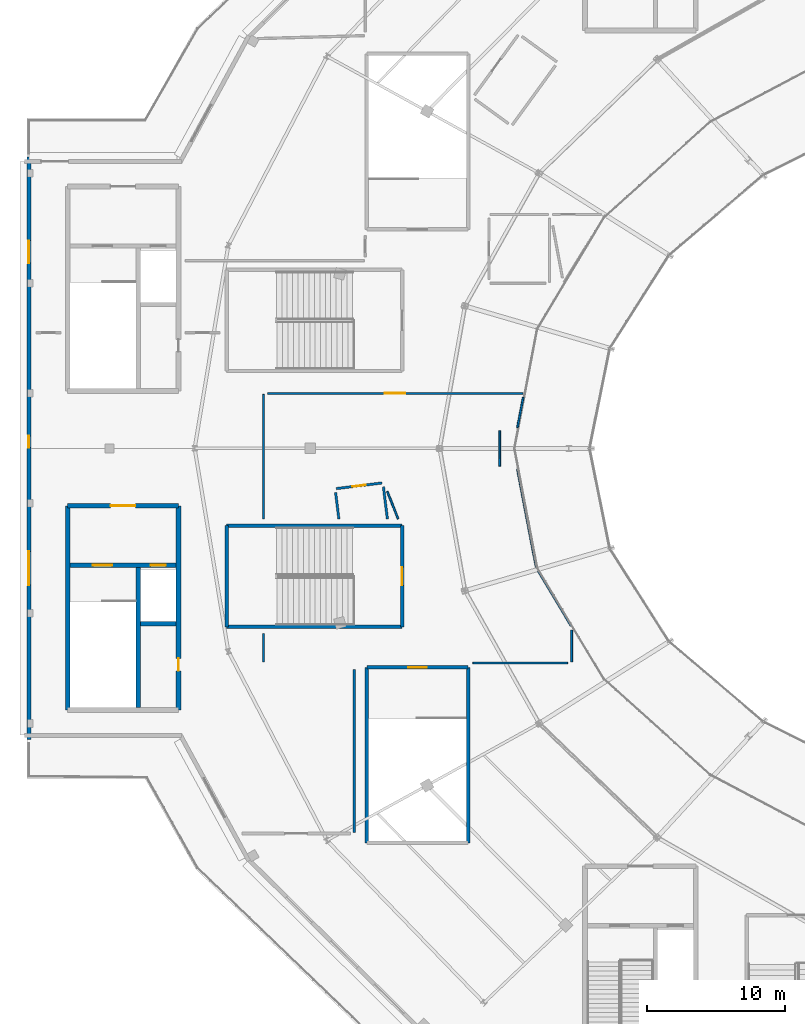
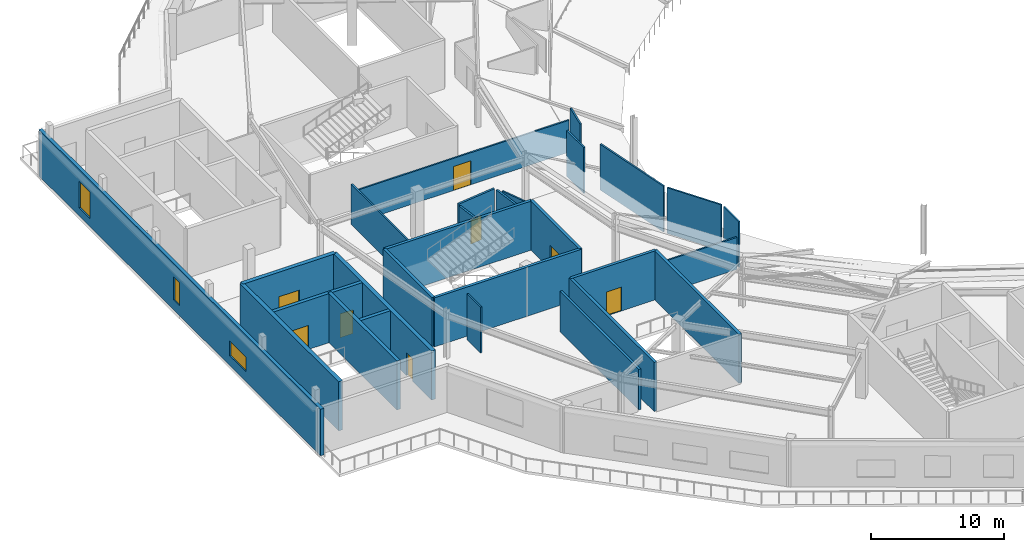
# One storey, part 33 of 63: 28 walls, 8 doors, 3 windows, 11 openings.
"""IFC4 building model written with IfcOpenShell, lengths in metres."""

import ifcopenshell
import ifcopenshell.guid

model = None  # the IFC model being written
_history = None  # IfcOwnerHistory: only IFC2X3 demands one
_inside = {}  # id of a spatial element -> (the spatial element, [elements in it])
_under = {}  # id of a project, library or spatial element -> (it, [spatial elements below it])
_declared = {}  # id of a project -> (the project, [libraries it declares])
_typed = {}  # id of a type object -> (the type object, [elements of that type])
_made_of = {}  # id of a material, layer set ... -> (it, [elements and type objects made of it])


def new_model(schema):
    """Start an empty IFC model of exactly this schema.

    Asked for "IFC4X3", IfcOpenShell would pick the latest addendum, in which some entities
    have other attributes; the version numbers below select the first issue.
    IFC2X3 requires an IfcOwnerHistory on every rooted entity: one is made here for all.
    """
    global model, _history
    if schema == "IFC4X3":
        model = ifcopenshell.file(schema_version=(4, 3, 0, 0))
    else:
        model = ifcopenshell.file(schema=schema)
    _inside.clear()
    _under.clear()
    _declared.clear()
    _typed.clear()
    _made_of.clear()
    _history = None
    if model.schema == "IFC2X3":
        org = make("IfcOrganization", Name="unknown")
        user = make(
            "IfcPersonAndOrganization",
            ThePerson=make("IfcPerson", FamilyName="unknown"),
            TheOrganization=org,
        )
        app = make(
            "IfcApplication",
            ApplicationDeveloper=org,
            Version="unknown",
            ApplicationFullName="unknown",
            ApplicationIdentifier="unknown",
        )
        _history = make(
            "IfcOwnerHistory",
            OwningUser=user,
            OwningApplication=app,
            ChangeAction="ADDED",
            CreationDate=0,
        )
    return model


def make(cls, **values):
    """One entity of the class cls with the attributes given. An attribute that is None is left unset."""
    return model.create_entity(
        cls, **{name: value for name, value in values.items() if value is not None}
    )


def rooted(cls, **values):
    """An entity with a GlobalId (a new one), such as an element, a storey or a relation."""
    return make(cls, GlobalId=ifcopenshell.guid.new(), OwnerHistory=_history, **values)


def si_unit(unit_type, name, prefix=None):
    """IfcSIUnit, for example si_unit("LENGTHUNIT", "METRE", prefix="MILLI")."""
    return make("IfcSIUnit", UnitType=unit_type, Prefix=prefix, Name=name)


def assignment(units):
    """IfcUnitAssignment: the units of a project."""
    return None if units is None else make("IfcUnitAssignment", Units=units)


def point(xyz):
    """IfcCartesianPoint."""
    return None if xyz is None else make("IfcCartesianPoint", Coordinates=xyz)


def direction(xyz):
    """IfcDirection."""
    return None if xyz is None else make("IfcDirection", DirectionRatios=xyz)


def frame(location, z_axis=None, x_axis=None):
    """IfcAxis2Placement3D, a coordinate frame: its origin and axes. An axis left out is left unset."""
    return make(
        "IfcAxis2Placement3D",
        Location=point(location),
        Axis=direction(z_axis),
        RefDirection=direction(x_axis),
    )


def frame_2d(location, x_axis=None):
    """IfcAxis2Placement2D, a coordinate frame in the plane: its origin and x axis."""
    return make(
        "IfcAxis2Placement2D", Location=point(location), RefDirection=direction(x_axis)
    )


def origin():
    """The frame at (0, 0, 0) with its axes left unset."""
    return frame((0.0, 0.0, 0.0))


def place(relative_to, where):
    """IfcLocalPlacement: puts the frame where relative to a parent placement (None: the world)."""
    return make(
        "IfcLocalPlacement", PlacementRelTo=relative_to, RelativePlacement=where
    )


def context(
    kind, dimensions, precision=None, world=None, true_north=None, identifier=None
):
    """IfcGeometricRepresentationContext, for example the 3D "Model" context."""
    return make(
        "IfcGeometricRepresentationContext",
        ContextIdentifier=identifier,
        ContextType=kind,
        CoordinateSpaceDimension=dimensions,
        Precision=precision,
        WorldCoordinateSystem=world,
        TrueNorth=true_north,
    )


def subcontext(parent, identifier, kind, view, scale=None):
    """IfcGeometricRepresentationSubContext, for example "Body" below "Model"."""
    return make(
        "IfcGeometricRepresentationSubContext",
        ContextIdentifier=identifier,
        ContextType=kind,
        ParentContext=parent,
        TargetScale=scale,
        TargetView=view,
    )


def project(units=None, contexts=None):
    """IfcProject with its units and contexts."""
    return rooted(
        "IfcProject",
        Name="project",
        RepresentationContexts=contexts,
        UnitsInContext=assignment(units),
    )


def spatial(cls, under=None, at=None, **own):
    """A site, building, storey or space (cls), placed at a placement, below another one or the project."""
    s = rooted(cls, ObjectPlacement=at, **own)
    if under is not None:
        _under.setdefault(under.id(), (under, []))[1].append(s)
    return s


def profile(cls, at=None, kind="AREA", **sizes):
    """A parametric profile (cls). Its sizes go by their IFC names, for example OverallWidth=200.0."""
    return make(cls, ProfileType=kind, Position=at, **sizes)


def rectangle(**sizes):
    """IfcRectangleProfileDef."""
    return profile("IfcRectangleProfileDef", **sizes)


def extrude(swept, where, along, depth):
    """IfcExtrudedAreaSolid: the profile swept, set in the frame where, extruded along a direction by depth."""
    return make(
        "IfcExtrudedAreaSolid",
        SweptArea=swept,
        Position=where,
        ExtrudedDirection=direction(along),
        Depth=depth,
    )


def shape(context_of_items, identifier, shape_type, items):
    """IfcShapeRepresentation: the items that make up one representation, for example the "Body"."""
    return make(
        "IfcShapeRepresentation",
        ContextOfItems=context_of_items,
        RepresentationIdentifier=identifier,
        RepresentationType=shape_type,
        Items=items,
    )


def material(Name=None, Category=None):
    """IfcMaterial."""
    return make("IfcMaterial", Name=Name, Category=Category)


def layer(
    of_material, thickness, ventilated=None, Name=None, Category=None, Priority=None
):
    """IfcMaterialLayer: one layer of a wall or slab, of a material (None: an air gap)."""
    return make(
        "IfcMaterialLayer",
        Material=of_material,
        LayerThickness=thickness,
        IsVentilated=ventilated,
        Name=Name,
        Category=Category,
        Priority=Priority,
    )


def layer_set(layers, Name=None):
    """IfcMaterialLayerSet."""
    return make("IfcMaterialLayerSet", MaterialLayers=layers, LayerSetName=Name)


def made_of(thing, what):
    """Note that an element or type object is made of a material, layer set ...; save() writes the relation."""
    if what is not None:
        _made_of.setdefault(what.id(), (what, []))[1].append(thing)
    return thing


def type_object(cls, material=None, **own):
    """A type object (cls), such as IfcWallType, which elements share."""
    return made_of(rooted(cls, **own), material)


def element(
    cls,
    number,
    at=None,
    inside=None,
    cuts=None,
    type_object=None,
    material=None,
    context=None,
    identifier="Body",
    shape_type=None,
    held_by="IfcProductDefinitionShape",
    body=None,
    shapes=None,
    **own,
):
    """One element of the class cls, such as IfcWall. Its Tag is "e" and its number.

    at: its placement. inside: the storey or other place that contains it. cuts: it is an
    opening in that element (IfcRelVoidsElement). A single representation is given by context,
    identifier, shape_type and body (its items); several are given by shapes. held_by: the class
    of the entity that holds the representations. save() writes the other relations.
    """
    e = rooted(cls, Tag="e%d" % number, ObjectPlacement=at, **own)
    if body is not None:
        shapes = [shape(context, identifier, shape_type, body)]
    if shapes is not None:
        e.Representation = make(held_by, Representations=shapes)
    if inside is not None:
        _inside.setdefault(inside.id(), (inside, []))[1].append(e)
    if cuts is not None:
        rooted(
            "IfcRelVoidsElement", RelatingBuildingElement=cuts, RelatedOpeningElement=e
        )
    if type_object is not None:
        _typed.setdefault(type_object.id(), (type_object, []))[1].append(e)
    return made_of(e, material)


def fill(opening, filler):
    """IfcRelFillsElement: the door or window that sits in an opening."""
    return rooted(
        "IfcRelFillsElement",
        RelatingOpeningElement=opening,
        RelatedBuildingElement=filler,
    )


def aggregate(whole, parts):
    """IfcRelAggregates: a whole, such as a stair, and the parts it consists of."""
    return rooted("IfcRelAggregates", RelatingObject=whole, RelatedObjects=parts)


def save(model, path):
    """Write the relations noted so far, then the file.

    IfcRelAggregates (storeys below a building ...), IfcRelContainedInSpatialStructure (elements
    in a storey), IfcRelDefinesByType, IfcRelAssociatesMaterial and IfcRelDeclares: one each for
    every whole, place, type object, material and project.
    """
    for whole, parts in _under.values():
        aggregate(whole, parts)
    for where, things in _inside.values():
        rooted(
            "IfcRelContainedInSpatialStructure",
            RelatedElements=things,
            RelatingStructure=where,
        )
    for kind, things in _typed.values():
        rooted("IfcRelDefinesByType", RelatedObjects=things, RelatingType=kind)
    for what, things in _made_of.values():
        rooted("IfcRelAssociatesMaterial", RelatedObjects=things, RelatingMaterial=what)
    for by, libraries in _declared.values():
        rooted("IfcRelDeclares", RelatingContext=by, RelatedDefinitions=libraries)
    model.write(path)


model = new_model("IFC4")

# Units and contexts
model_context = context("Model", 3, precision=1e-05, world=origin(), true_north=direction((0.0, 1.0)))
body_context = subcontext(model_context, "Body", "Model", "MODEL_VIEW")
ifc_project = project(units=[si_unit("LENGTHUNIT", "METRE"), si_unit("AREAUNIT", "SQUARE_METRE"), si_unit("VOLUMEUNIT", "CUBIC_METRE"), si_unit("PLANEANGLEUNIT", "RADIAN"), si_unit("MASSUNIT", "GRAM", prefix="KILO")], contexts=[model_context])

# Site, building, storey
site_placement = place(None, origin())
site = spatial("IfcSite", under=ifc_project, at=site_placement, CompositionType="ELEMENT")
building_placement = place(site_placement, origin())
building = spatial("IfcBuilding", under=site, at=building_placement, Name="Kalgoora Escarpment Arena", CompositionType="ELEMENT")
storey_placement = place(building_placement, frame((0.0, 0.0, 14.39990234375)))
storey = spatial("IfcBuildingStorey", under=building, at=storey_placement, Name="L03", CompositionType="ELEMENT", Elevation=14.39990234375)

# Wall, opening, door
ifc_material_1 = material(Name="Concrete N50 (fc' 50 MPa)", Category="concrete")
ifc_layer_1 = layer(ifc_material_1, 0.35009765625)
ifc_layer_set_1 = layer_set([ifc_layer_1], Name="WAL-CORE-350")
wall_type_1 = type_object("IfcWallType", Name="WAL-CORE-350", PredefinedType="SHEAR", material=ifc_layer_set_1)
wall_1_placement = place(storey_placement, frame((11.375, 59.824951171875, 0.0), z_axis=(0.0, 0.0, 1.0), x_axis=(1.0, 0.0, 0.0)))
wall_1 = element("IfcWall", 1, at=wall_1_placement, inside=storey, type_object=wall_type_1, Name="Core C2 L03 north lobby wall", PredefinedType="SHEAR", context=body_context, shape_type="SweptSolid", body=[
    extrude(rectangle(XDim=8.050048828125, YDim=0.35009765625, at=frame_2d((4.02490234375, 0.0))), origin(), (0.0, 0.0, 1.0), 4.5),
])
opening_1_placement = place(wall_1_placement, frame((3.125, 0.0, 0.0)))
opening_1 = element("IfcOpeningElement", 2, at=opening_1_placement, cuts=wall_1, Name="Opening FD-C2L", PredefinedType="OPENING", context=body_context, shape_type="SweptSolid", body=[
    extrude(rectangle(XDim=1.800048828125, YDim=2.25, at=frame_2d((0.89990234375, 1.125))), frame((0.0, 0.18505859375, 0.0), z_axis=(0.0, -1.0, 0.0), x_axis=(1.0, 0.0, 0.0)), (0.0, 0.0, 1.0), 0.3701171875),
])
ifc_material_2 = material(Name="Double fire-rated smoke-seal lobby door")
door_type_1 = type_object("IfcDoorType", Name="DR-LOBBY-1800", OperationType="NOTDEFINED", PredefinedType="DOOR", material=ifc_material_2)
door_1_placement = place(opening_1_placement, origin())
door_1 = element("IfcDoor", 3, at=door_1_placement, inside=storey, type_object=door_type_1, Name="Core C2 L03 smoke-lobby fire door", OperationType="DOUBLE_DOOR_SINGLE_SWING", OverallHeight=2.25, OverallWidth=1.800048828125, PredefinedType="DOOR", context=body_context, shape_type="SweptSolid", body=[
    extrude(rectangle(XDim=1.800048828125, YDim=2.25, at=frame_2d((0.89990234375, 1.125))), frame((0.0, 0.02490234375, 0.0), z_axis=(0.0, -1.0, 0.0), x_axis=(1.0, 0.0, 0.0)), (0.0, 0.0, 1.0), 0.050048828125),
])
fill(opening_1, door_1)

# Wall
wall_2_placement = place(storey_placement, frame((11.375, 44.97509765625, 0.0), z_axis=(0.0, 0.0, 1.0), x_axis=(0.0, 1.0, 0.0)))
element("IfcWall", 4, at=wall_2_placement, inside=storey, type_object=wall_type_1, Name="Core C2 L03 west shear wall", PredefinedType="SHEAR", context=body_context, shape_type="SweptSolid", body=[
    extrude(rectangle(XDim=14.849853515625, YDim=0.35009765625, at=frame_2d((7.4248046875, 0.0))), origin(), (0.0, 0.0, 1.0), 4.5),
])

# Wall, opening, door
wall_3_placement = place(storey_placement, frame((19.425048828125, 44.97509765625, 0.0), z_axis=(0.0, 0.0, 1.0), x_axis=(0.0, 1.0, 0.0)))
wall_3 = element("IfcWall", 5, at=wall_3_placement, inside=storey, type_object=wall_type_1, Name="Core C2 L03 east shear wall", PredefinedType="SHEAR", context=body_context, shape_type="SweptSolid", body=[
    extrude(rectangle(XDim=14.849853515625, YDim=0.35009765625, at=frame_2d((7.4248046875, 0.0))), origin(), (0.0, 0.0, 1.0), 4.5),
])
opening_2_placement = place(wall_3_placement, frame((2.85498046875, 0.0, 0.0)))
opening_2 = element("IfcOpeningElement", 6, at=opening_2_placement, cuts=wall_3, Name="Opening FD-C2R", PredefinedType="OPENING", context=body_context, shape_type="SweptSolid", body=[
    extrude(rectangle(XDim=0.89990234375, YDim=2.10009765625, at=frame_2d((0.449951171875, 1.050048828125))), frame((0.0, 0.18505859375, 0.0), z_axis=(0.0, -1.0, 0.0), x_axis=(1.0, 0.0, 0.0)), (0.0, 0.0, 1.0), 0.3701171875),
])
ifc_material_3 = material(Name="Fire-rated steel riser access door", Category="steel")
door_type_2 = type_object("IfcDoorType", Name="DR-RISER-0900", OperationType="NOTDEFINED", PredefinedType="DOOR", material=ifc_material_3)
door_2_placement = place(opening_2_placement, origin())
door_2 = element("IfcDoor", 7, at=door_2_placement, inside=storey, type_object=door_type_2, Name="Core C2 L03 riser cupboard access door", OperationType="SINGLE_SWING_RIGHT", OverallHeight=2.10009765625, OverallWidth=0.89990234375, PredefinedType="DOOR", context=body_context, shape_type="SweptSolid", body=[
    extrude(rectangle(XDim=0.89990234375, YDim=2.10009765625, at=frame_2d((0.449951171875, 1.050048828125))), frame((0.0, 0.02490234375, 0.0), z_axis=(0.0, -1.0, 0.0), x_axis=(1.0, 0.0, 0.0)), (0.0, 0.0, 1.0), 0.050048828125),
])
fill(opening_2, door_2)

# Walls
ifc_material_4 = material(Name="Hospitality acoustic drywall partition", Category="gypsum")
ifc_layer_2 = layer(ifc_material_4, 0.135009765625)
ifc_layer_set_2 = layer_set([ifc_layer_2], Name="WAL-DIN-135")
wall_type_2 = type_object("IfcWallType", Name="WAL-DIN-135", PredefinedType="PARTITIONING", material=ifc_layer_set_2)
wall_4_placement = place(storey_placement, frame((25.60009765625, 48.47998046875, 0.0), z_axis=(0.0, 0.0, 1.0), x_axis=(0.0, 1.0, 0.0)))
element("IfcWall", 8, at=wall_4_placement, inside=storey, type_object=wall_type_2, Name="L03 South Concourse Food Court partition wall", PredefinedType="PARTITIONING", context=body_context, shape_type="SweptSolid", body=[
    extrude(rectangle(XDim=2.044921875, YDim=0.135009765625, at=frame_2d((1.0224609375, 0.0))), origin(), (0.0, 0.0, 1.0), 4.2001953125),
])
wall_5_placement = place(storey_placement, frame((35.389404296875, 58.869384765625, 0.0), z_axis=(0.0, 0.0, 1.0), x_axis=(-0.365367553019, 0.930863336479, 0.0)))
element("IfcWall", 9, at=wall_5_placement, inside=storey, type_object=wall_type_2, Name="L03 South Concourse Food Court partition wall", PredefinedType="PARTITIONING", context=body_context, shape_type="SweptSolid", body=[
    extrude(rectangle(XDim=2.148193359375, YDim=0.135009765625, at=frame_2d((1.07421875, 0.0))), origin(), (0.0, 0.0, 1.0), 4.2001953125),
])
wall_6_placement = place(storey_placement, frame((25.60009765625, 58.875, 0.0), z_axis=(0.0, 0.0, 1.0), x_axis=(0.0, 1.0, 0.0)))
element("IfcWall", 10, at=wall_6_placement, inside=storey, type_object=wall_type_2, Name="L03 South Concourse Food Court partition wall", PredefinedType="PARTITIONING", context=body_context, shape_type="SweptSolid", body=[
    extrude(rectangle(XDim=9.044921875, YDim=0.135009765625, at=frame_2d((4.5224609375, 0.0))), origin(), (0.0, 0.0, 1.0), 3.705078125),
])

# Wall, opening, door
wall_7_placement = place(storey_placement, frame((25.884765625, 68.0, 0.0), z_axis=(0.0, 0.0, 1.0), x_axis=(1.0, 0.0, 0.0)))
wall_7 = element("IfcWall", 11, at=wall_7_placement, inside=storey, type_object=wall_type_2, Name="L03 South Concourse Food Court partition wall", PredefinedType="PARTITIONING", context=body_context, shape_type="SweptSolid", body=[
    extrude(rectangle(XDim=18.57421875, YDim=0.135009765625, at=frame_2d((9.287109375, 0.0))), origin(), (0.0, 0.0, 1.0), 2.943115234375),
])
opening_3_placement = place(wall_7_placement, frame((8.537109375, 0.0, 0.0)))
opening_3 = element("IfcOpeningElement", 12, at=opening_3_placement, cuts=wall_7, Name="Opening FD-I123", PredefinedType="OPENING", context=body_context, shape_type="SweptSolid", body=[
    extrude(rectangle(XDim=1.5, YDim=2.199951171875, at=frame_2d((0.75, 1.10009765625))), frame((0.0, 0.077392578125, 0.0), z_axis=(0.0, -1.0, 0.0), x_axis=(1.0, 0.0, 0.0)), (0.0, 0.0, 1.0), 0.155029296875),
])
ifc_material_5 = material(Name="Stainless-clad fire-rated kitchen double door")
door_type_3 = type_object("IfcDoorType", Name="DR-KIT-1500", OperationType="NOTDEFINED", PredefinedType="DOOR", material=ifc_material_5)
door_3_placement = place(opening_3_placement, origin())
door_3 = element("IfcDoor", 13, at=door_3_placement, inside=storey, type_object=door_type_3, Name="South Concourse Food Court entrance door", OperationType="DOUBLE_DOOR_SINGLE_SWING", OverallHeight=2.199951171875, OverallWidth=1.5, PredefinedType="DOOR", context=body_context, shape_type="SweptSolid", body=[
    extrude(rectangle(XDim=1.5, YDim=2.199951171875, at=frame_2d((0.75, 1.10009765625))), frame((0.0, 0.02490234375, 0.0), z_axis=(0.0, -1.0, 0.0), x_axis=(1.0, 0.0, 0.0)), (0.0, 0.0, 1.0), 0.050048828125),
])
fill(opening_3, door_3)

# Walls
wall_8_placement = place(storey_placement, frame((44.48291015625, 67.705078125, 0.0), z_axis=(0.0, 0.0, 1.0), x_axis=(-0.187458263923, -0.982272568734, 0.0)))
element("IfcWall", 14, at=wall_8_placement, inside=storey, type_object=wall_type_2, Name="L03 South Concourse Food Court partition wall", PredefinedType="PARTITIONING", context=body_context, shape_type="SweptSolid", body=[
    extrude(rectangle(XDim=2.236083984375, YDim=0.135009765625, at=frame_2d((1.1181640625, 0.0))), origin(), (0.0, 0.0, 1.0), 4.2001953125),
])
wall_9_placement = place(storey_placement, frame((42.773193359375, 65.293212890625, 0.0), z_axis=(0.0, 0.0, 1.0), x_axis=(-0.000662690378, -0.999999780421, 0.0)))
element("IfcWall", 15, at=wall_9_placement, inside=storey, type_object=wall_type_2, Name="L03 South Concourse Food Court partition wall", PredefinedType="PARTITIONING", context=body_context, shape_type="SweptSolid", body=[
    extrude(rectangle(XDim=2.578857421875, YDim=0.135009765625, at=frame_2d((1.28955078125, 0.0))), origin(), (0.0, 0.0, 1.0), 4.2001953125),
])
wall_10_placement = place(storey_placement, frame((44.063720703125, 62.491455078125, 0.0), z_axis=(0.0, 0.0, 1.0), x_axis=(0.187882600122, -0.982191492822, 0.0)))
element("IfcWall", 16, at=wall_10_placement, inside=storey, type_object=wall_type_2, Name="L03 South Concourse Food Court partition wall", PredefinedType="PARTITIONING", context=body_context, shape_type="SweptSolid", body=[
    extrude(rectangle(XDim=7.26513671875, YDim=0.135009765625, at=frame_2d((3.632568359375, 0.0))), origin(), (0.0, 0.0, 1.0), 4.2001953125),
])
wall_11_placement = place(storey_placement, frame((45.558349609375, 55.085693359375, 0.0), z_axis=(0.0, 0.0, 1.0), x_axis=(0.514065152824, -0.85775114028, 0.0)))
element("IfcWall", 17, at=wall_11_placement, inside=storey, type_object=wall_type_2, Name="L03 South Concourse Food Court partition wall", PredefinedType="PARTITIONING", context=body_context, shape_type="SweptSolid", body=[
    extrude(rectangle(XDim=4.669921875, YDim=0.135009765625, at=frame_2d((2.3349609375, 0.0))), origin(), (0.0, 0.0, 1.0), 4.2001953125),
])
wall_12_placement = place(storey_placement, frame((48.0, 50.7841796875, 0.0), z_axis=(0.0, 0.0, 1.0), x_axis=(0.0, -1.0, 0.0)))
element("IfcWall", 18, at=wall_12_placement, inside=storey, type_object=wall_type_2, Name="L03 South Concourse Food Court partition wall", PredefinedType="PARTITIONING", context=body_context, shape_type="SweptSolid", body=[
    extrude(rectangle(XDim=2.30419921875, YDim=0.135009765625, at=frame_2d((1.152099609375, 0.0))), origin(), (0.0, 0.0, 1.0), 4.2001953125),
])
wall_13_placement = place(storey_placement, frame((47.715087890625, 48.39990234375, 0.0), z_axis=(0.0, 0.0, 1.0), x_axis=(-1.0, 0.0, 0.0)))
element("IfcWall", 19, at=wall_13_placement, inside=storey, type_object=wall_type_2, Name="L03 South Concourse Food Court partition wall", PredefinedType="PARTITIONING", context=body_context, shape_type="SweptSolid", body=[
    extrude(rectangle(XDim=6.89404296875, YDim=0.135009765625, at=frame_2d((3.447021484375, 0.0))), origin(), (0.0, 0.0, 1.0), 2.943115234375),
])

# Wall, openings, windows
ifc_material_6 = material(Name="Upper concourse insulated spandrel wall 40 MPa", Category="concrete")
ifc_layer_3 = layer(ifc_material_6, 0.2900390625)
ifc_layer_set_3 = layer_set([ifc_layer_3], Name="WAL-EXT-290")
wall_type_3 = type_object("IfcWallType", Name="WAL-EXT-290", PredefinedType="SOLIDWALL", material=ifc_layer_set_3)
wall_14_placement = place(storey_placement, frame((8.544921875, 42.831787109375, 0.0), z_axis=(0.0, 0.0, 1.0), x_axis=(0.0, 1.0, 0.0)))
wall_14 = element("IfcWall", 20, at=wall_14_placement, inside=storey, type_object=wall_type_3, Name="L03 limestone-faced external wall 078", PredefinedType="SOLIDWALL", context=body_context, shape_type="SweptSolid", body=[
    extrude(rectangle(XDim=42.33642578125, YDim=0.2900390625, at=frame_2d((21.168212890625, 0.0))), origin(), (0.0, 0.0, 1.0), 4.260009765625),
])
opening_4_placement = place(wall_14_placement, frame((11.22509765625, 0.0, 0.89990234375)))
opening_4 = element("IfcOpeningElement", 21, at=opening_4_placement, cuts=wall_14, Name="Opening W-15", PredefinedType="OPENING", context=body_context, shape_type="SweptSolid", body=[
    extrude(rectangle(XDim=2.449951171875, YDim=1.35009765625, at=frame_2d((1.22509765625, 0.675048828125))), frame((0.0, 0.155029296875, 0.0), z_axis=(0.0, -1.0, 0.0), x_axis=(1.0, 0.0, 0.0)), (0.0, 0.0, 1.0), 0.31005859375),
])
opening_5_placement = place(wall_14_placement, frame((21.22509765625, 0.0, 0.89990234375)))
opening_5 = element("IfcOpeningElement", 22, at=opening_5_placement, cuts=wall_14, Name="Opening W-18", PredefinedType="OPENING", context=body_context, shape_type="SweptSolid", body=[
    extrude(rectangle(XDim=0.85009765625, YDim=2.10009765625, at=frame_2d((0.425048828125, 1.050048828125))), frame((0.0, 0.155029296875, 0.0), z_axis=(0.0, -1.0, 0.0), x_axis=(1.0, 0.0, 0.0)), (0.0, 0.0, 1.0), 0.31005859375),
])
opening_6_placement = place(wall_14_placement, frame((34.625, 0.0, 0.75)))
opening_6 = element("IfcOpeningElement", 23, at=opening_6_placement, cuts=wall_14, Name="Opening W-02", PredefinedType="OPENING", context=body_context, shape_type="SweptSolid", body=[
    extrude(rectangle(XDim=1.64990234375, YDim=2.39990234375, at=frame_2d((0.824951171875, 1.199951171875))), frame((0.0, 0.155029296875, 0.0), z_axis=(0.0, -1.0, 0.0), x_axis=(1.0, 0.0, 0.0)), (0.0, 0.0, 1.0), 0.31005859375),
])
ifc_material_7 = material(Name="Low-E solar-control double glazing in champagne frame", Category="glass")
window_type_1 = type_object("IfcWindowType", Name="WIN-CLER-2450x1350", PartitioningType="SINGLE_PANEL", PredefinedType="WINDOW", material=ifc_material_7)
window_1_placement = place(opening_4_placement, origin())
window_1 = element("IfcWindow", 24, at=window_1_placement, inside=storey, type_object=window_type_1, Name="L03 scheduled facade window 133", OverallHeight=1.35009765625, OverallWidth=2.449951171875, PartitioningType="SINGLE_PANEL", PredefinedType="WINDOW", context=body_context, shape_type="SweptSolid", body=[
    extrude(rectangle(XDim=2.449951171875, YDim=1.35009765625, at=frame_2d((1.22509765625, 0.675048828125))), frame((0.0, 0.030029296875, 0.0), z_axis=(0.0, -1.0, 0.0), x_axis=(1.0, 0.0, 0.0)), (0.0, 0.0, 1.0), 0.06005859375),
])
fill(opening_4, window_1)
ifc_material_8 = material(Name="Low-E solar-control double glazing in champagne frame", Category="glass")
window_type_2 = type_object("IfcWindowType", Name="WIN-DECO-1650x2400", PartitioningType="SINGLE_PANEL", PredefinedType="WINDOW", material=ifc_material_8)
window_2_placement = place(opening_6_placement, origin())
window_2 = element("IfcWindow", 25, at=window_2_placement, inside=storey, type_object=window_type_2, Name="L03 scheduled facade window 135", OverallHeight=2.39990234375, OverallWidth=1.64990234375, PartitioningType="SINGLE_PANEL", PredefinedType="WINDOW", context=body_context, shape_type="SweptSolid", body=[
    extrude(rectangle(XDim=1.64990234375, YDim=2.39990234375, at=frame_2d((0.824951171875, 1.199951171875))), frame((0.0, 0.030029296875, 0.0), z_axis=(0.0, -1.0, 0.0), x_axis=(1.0, 0.0, 0.0)), (0.0, 0.0, 1.0), 0.06005859375),
])
fill(opening_6, window_2)
ifc_material_9 = material(Name="Low-E solar-control double glazing in champagne frame", Category="glass")
window_type_3 = type_object("IfcWindowType", Name="WIN-SLOT-0850x2100", PartitioningType="SINGLE_PANEL", PredefinedType="WINDOW", material=ifc_material_9)
window_3_placement = place(opening_5_placement, origin())
window_3 = element("IfcWindow", 26, at=window_3_placement, inside=storey, type_object=window_type_3, Name="L03 scheduled facade window 134", OverallHeight=2.10009765625, OverallWidth=0.85009765625, PartitioningType="SINGLE_PANEL", PredefinedType="WINDOW", context=body_context, shape_type="SweptSolid", body=[
    extrude(rectangle(XDim=0.85009765625, YDim=2.10009765625, at=frame_2d((0.425048828125, 1.050048828125))), frame((0.0, 0.030029296875, 0.0), z_axis=(0.0, -1.0, 0.0), x_axis=(1.0, 0.0, 0.0)), (0.0, 0.0, 1.0), 0.06005859375),
])
fill(opening_5, window_3)

# Wall
ifc_material_10 = material(Name="Acoustic masonry plant wall Concrete N40 (fc' 40 MPa)", Category="masonry")
ifc_layer_4 = layer(ifc_material_10, 0.205078125)
ifc_layer_set_4 = layer_set([ifc_layer_4], Name="WAL-PLANT-205")
wall_type_4 = type_object("IfcWallType", Name="WAL-PLANT-205", PredefinedType="SOLIDWALL", material=ifc_layer_set_4)
wall_15_placement = place(storey_placement, frame((32.199951171875, 47.919921875, 0.0), z_axis=(0.0, 0.0, 1.0), x_axis=(0.0, -1.0, 0.0)))
element("IfcWall", 27, at=wall_15_placement, inside=storey, type_object=wall_type_4, Name="L03 West Concourse AHU Plant Room partition wall", PredefinedType="SOLIDWALL", context=body_context, shape_type="SweptSolid", body=[
    extrude(rectangle(XDim=11.83984375, YDim=0.205078125, at=frame_2d((5.919921875, 0.0))), origin(), (0.0, 0.0, 1.0), 3.715087890625),
])

# Wall, openings, doors
ifc_material_11 = material(Name="Concrete N50 (fc' 50 MPa)", Category="concrete")
ifc_layer_5 = layer(ifc_material_11, 0.300048828125)
ifc_layer_set_5 = layer_set([ifc_layer_5], Name="WAL-SHAFT-300")
wall_type_5 = type_object("IfcWallType", Name="WAL-SHAFT-300", PredefinedType="SHEAR", material=ifc_layer_set_5)
wall_16_placement = place(storey_placement, frame((11.550048828125, 55.5, 0.0), z_axis=(0.0, 0.0, 1.0), x_axis=(1.0, 0.0, 0.0)))
wall_16 = element("IfcWall", 28, at=wall_16_placement, inside=storey, type_object=wall_type_5, Name="Core C2 L03 lobby shaft wall", PredefinedType="SHEAR", context=body_context, shape_type="SweptSolid", body=[
    extrude(rectangle(XDim=7.699951171875, YDim=0.300048828125, at=frame_2d((3.85009765625, 0.0))), origin(), (0.0, 0.0, 1.0), 4.5),
])
opening_7_placement = place(wall_16_placement, frame((1.64990234375, 0.0, 0.0)))
opening_7 = element("IfcOpeningElement", 29, at=opening_7_placement, cuts=wall_16, Name="Opening FD-ST02", PredefinedType="OPENING", context=body_context, shape_type="SweptSolid", body=[
    extrude(rectangle(XDim=1.39990234375, YDim=2.199951171875, at=frame_2d((0.699951171875, 1.10009765625))), frame((0.0, 0.159912109375, 0.0), z_axis=(0.0, -1.0, 0.0), x_axis=(1.0, 0.0, 0.0)), (0.0, 0.0, 1.0), 0.320068359375),
])
opening_8_placement = place(wall_16_placement, frame((5.85009765625, 0.0, 0.0)))
opening_8 = element("IfcOpeningElement", 30, at=opening_8_placement, cuts=wall_16, Name="Opening LD-EL2", PredefinedType="OPENING", context=body_context, shape_type="SweptSolid", body=[
    extrude(rectangle(XDim=1.10009765625, YDim=2.199951171875, at=frame_2d((0.550048828125, 1.10009765625))), frame((0.0, 0.159912109375, 0.0), z_axis=(0.0, -1.0, 0.0), x_axis=(1.0, 0.0, 0.0)), (0.0, 0.0, 1.0), 0.320068359375),
])
ifc_material_12 = material(Name="Brushed stainless steel sliding lift landing door", Category="steel")
door_type_4 = type_object("IfcDoorType", Name="DR-LD-EL2", OperationType="SLIDING_TO_LEFT", PredefinedType="DOOR", material=ifc_material_12)
door_4_placement = place(opening_8_placement, origin())
door_4 = element("IfcDoor", 31, at=door_4_placement, inside=storey, type_object=door_type_4, Name="Lift EL2 L03 sliding landing door", OperationType="SLIDING_TO_LEFT", OverallHeight=2.199951171875, OverallWidth=1.10009765625, PredefinedType="DOOR", context=body_context, shape_type="SweptSolid", body=[
    extrude(rectangle(XDim=1.10009765625, YDim=2.199951171875, at=frame_2d((0.550048828125, 1.10009765625))), frame((0.0, 0.02490234375, 0.0), z_axis=(0.0, -1.0, 0.0), x_axis=(1.0, 0.0, 0.0)), (0.0, 0.0, 1.0), 0.050048828125),
])
fill(opening_8, door_4)
ifc_material_13 = material(Name="Fire-rated steel stair leaf with vision panel", Category="steel")
door_type_5 = type_object("IfcDoorType", Name="DR-STAIR-1400", OperationType="NOTDEFINED", PredefinedType="DOOR", material=ifc_material_13)
door_5_placement = place(opening_7_placement, origin())
door_5 = element("IfcDoor", 32, at=door_5_placement, inside=storey, type_object=door_type_5, Name="Fire stair ST02 L03 fire door", OperationType="SINGLE_SWING_LEFT", OverallHeight=2.199951171875, OverallWidth=1.39990234375, PredefinedType="DOOR", context=body_context, shape_type="SweptSolid", body=[
    extrude(rectangle(XDim=1.39990234375, YDim=2.199951171875, at=frame_2d((0.699951171875, 1.10009765625))), frame((0.0, 0.02490234375, 0.0), z_axis=(0.0, -1.0, 0.0), x_axis=(1.0, 0.0, 0.0)), (0.0, 0.0, 1.0), 0.050048828125),
])
fill(opening_7, door_5)

# Walls
wall_17_placement = place(storey_placement, frame((16.5, 45.14990234375, 0.0), z_axis=(0.0, 0.0, 1.0), x_axis=(0.0, 1.0, 0.0)))
element("IfcWall", 33, at=wall_17_placement, inside=storey, type_object=wall_type_5, Name="Core C2 L03 stair-lift spine wall", PredefinedType="SHEAR", context=body_context, shape_type="SweptSolid", body=[
    extrude(rectangle(XDim=10.35009765625, YDim=0.300048828125, at=frame_2d((5.175048828125, 0.0))), origin(), (0.0, 0.0, 1.0), 4.5),
])
wall_18_placement = place(storey_placement, frame((16.64990234375, 51.25, 0.0), z_axis=(0.0, 0.0, 1.0), x_axis=(1.0, 0.0, 0.0)))
element("IfcWall", 34, at=wall_18_placement, inside=storey, type_object=wall_type_5, Name="Core C2 L03 lift-riser divider wall", PredefinedType="SHEAR", context=body_context, shape_type="SweptSolid", body=[
    extrude(rectangle(XDim=2.60009765625, YDim=0.300048828125, at=frame_2d((1.300048828125, 0.0))), origin(), (0.0, 0.0, 1.0), 4.5),
])
ifc_material_14 = material(Name="Concrete N50 (fc' 50 MPa)", Category="concrete")
ifc_layer_6 = layer(ifc_material_14, 0.25)
ifc_layer_set_6 = layer_set([ifc_layer_6], Name="WAL-STAIR-250")
wall_type_6 = type_object("IfcWallType", Name="WAL-STAIR-250", PredefinedType="SHEAR", material=ifc_layer_set_6)
for number, where, z_axis, x_axis, name in (
    (35, (22.925048828125, 51.02490234375, 0.0), (0.0, 0.0, 1.0), (1.0, 0.0, 0.0), "Exit stair ST18 L03 south wall"),
    (36, (22.925048828125, 58.375, 0.0), (0.0, 0.0, 1.0), (1.0, 0.0, 0.0), "Exit stair ST18 L03 north wall"),
):
    element("IfcWall", number, at=place(storey_placement, frame(where, z_axis=z_axis, x_axis=x_axis)), inside=storey, type_object=wall_type_6, Name=name, PredefinedType="SHEAR", context=body_context, shape_type="SweptSolid", body=[
        extrude(rectangle(XDim=12.75, YDim=0.25, at=frame_2d((6.375, 0.0))), origin(), (0.0, 0.0, 1.0), 4.5),
    ])
wall_19_placement = place(storey_placement, frame((22.925048828125, 51.02490234375, 0.0), z_axis=(0.0, 0.0, 1.0), x_axis=(0.0, 1.0, 0.0)))
element("IfcWall", 37, at=wall_19_placement, inside=storey, type_object=wall_type_6, Name="Exit stair ST18 L03 west wall", PredefinedType="SHEAR", context=body_context, shape_type="SweptSolid", body=[
    extrude(rectangle(XDim=7.35009765625, YDim=0.25, at=frame_2d((3.675048828125, 0.0))), origin(), (0.0, 0.0, 1.0), 4.5),
])

# Wall, opening, door
wall_20_placement = place(storey_placement, frame((35.675048828125, 51.02490234375, 0.0), z_axis=(0.0, 0.0, 1.0), x_axis=(0.0, 1.0, 0.0)))
wall_20 = element("IfcWall", 38, at=wall_20_placement, inside=storey, type_object=wall_type_6, Name="Exit stair ST18 L03 east wall", PredefinedType="SHEAR", context=body_context, shape_type="SweptSolid", body=[
    extrude(rectangle(XDim=7.35009765625, YDim=0.25, at=frame_2d((3.675048828125, 0.0))), origin(), (0.0, 0.0, 1.0), 4.5),
])
opening_9_placement = place(wall_20_placement, frame((3.014892578125, 0.0, 0.0)))
opening_9 = element("IfcOpeningElement", 39, at=opening_9_placement, cuts=wall_20, Name="Opening FD-ST18", PredefinedType="OPENING", context=body_context, shape_type="SweptSolid", body=[
    extrude(rectangle(XDim=1.320068359375, YDim=2.199951171875, at=frame_2d((0.66015625, 1.10009765625))), frame((0.0, 0.135009765625, 0.0), z_axis=(0.0, -1.0, 0.0), x_axis=(1.0, 0.0, 0.0)), (0.0, 0.0, 1.0), 0.27001953125),
])
ifc_material_15 = material(Name="Fire-rated steel stair leaf with vision panel", Category="steel")
door_type_6 = type_object("IfcDoorType", Name="DR-STAIR-1320", OperationType="NOTDEFINED", PredefinedType="DOOR", material=ifc_material_15)
door_6_placement = place(opening_9_placement, origin())
door_6 = element("IfcDoor", 40, at=door_6_placement, inside=storey, type_object=door_type_6, Name="Fire-isolated stair ST18 L03 egress door", OperationType="SINGLE_SWING_LEFT", OverallHeight=2.199951171875, OverallWidth=1.320068359375, PredefinedType="DOOR", context=body_context, shape_type="SweptSolid", body=[
    extrude(rectangle(XDim=1.320068359375, YDim=2.199951171875, at=frame_2d((0.66015625, 1.10009765625))), frame((0.0, 0.02490234375, 0.0), z_axis=(0.0, -1.0, 0.0), x_axis=(1.0, 0.0, 0.0)), (0.0, 0.0, 1.0), 0.050048828125),
])
fill(opening_9, door_6)

wall_21_placement = place(storey_placement, frame((33.125, 48.074951171875, 0.0), z_axis=(0.0, 0.0, 1.0), x_axis=(1.0, 0.0, 0.0)))
wall_21 = element("IfcWall", 41, at=wall_21_placement, inside=storey, type_object=wall_type_6, Name="Exit stair ST20 L03 north wall", PredefinedType="SHEAR", context=body_context, shape_type="SweptSolid", body=[
    extrude(rectangle(XDim=7.35009765625, YDim=0.25, at=frame_2d((3.675048828125, 0.0))), origin(), (0.0, 0.0, 1.0), 4.5),
])
opening_10_placement = place(wall_21_placement, frame((3.014892578125, 0.0, 0.0)))
opening_10 = element("IfcOpeningElement", 42, at=opening_10_placement, cuts=wall_21, Name="Opening FD-ST20", PredefinedType="OPENING", context=body_context, shape_type="SweptSolid", body=[
    extrude(rectangle(XDim=1.320068359375, YDim=2.199951171875, at=frame_2d((0.66015625, 1.10009765625))), frame((0.0, 0.135009765625, 0.0), z_axis=(0.0, -1.0, 0.0), x_axis=(1.0, 0.0, 0.0)), (0.0, 0.0, 1.0), 0.27001953125),
])
door_7_placement = place(opening_10_placement, origin())
door_7 = element("IfcDoor", 43, at=door_7_placement, inside=storey, type_object=door_type_6, Name="Fire-isolated stair ST20 L03 egress door", OperationType="SINGLE_SWING_LEFT", OverallHeight=2.199951171875, OverallWidth=1.320068359375, PredefinedType="DOOR", context=body_context, shape_type="SweptSolid", body=[
    extrude(rectangle(XDim=1.320068359375, YDim=2.199951171875, at=frame_2d((0.66015625, 1.10009765625))), frame((0.0, 0.02490234375, 0.0), z_axis=(0.0, -1.0, 0.0), x_axis=(1.0, 0.0, 0.0)), (0.0, 0.0, 1.0), 0.050048828125),
])
fill(opening_10, door_7)

# Walls
for number, where, z_axis, x_axis, name in (
    (44, (33.125, 35.324951171875, 0.0), (0.0, 0.0, 1.0), (0.0, 1.0, 0.0), "Exit stair ST20 L03 west wall"),
    (45, (40.47509765625, 35.324951171875, 0.0), (0.0, 0.0, 1.0), (0.0, 1.0, 0.0), "Exit stair ST20 L03 east wall"),
):
    element("IfcWall", number, at=place(storey_placement, frame(where, z_axis=z_axis, x_axis=x_axis)), inside=storey, type_object=wall_type_6, Name=name, PredefinedType="SHEAR", context=body_context, shape_type="SweptSolid", body=[
        extrude(rectangle(XDim=12.75, YDim=0.25, at=frame_2d((6.375, 0.0))), origin(), (0.0, 0.0, 1.0), 4.5),
    ])

# Wall, opening, door
ifc_material_16 = material(Name="Twin-stud acoustic plasterboard FRL -/60/60", Category="gypsum")
ifc_layer_7 = layer(ifc_material_16, 0.175048828125)
ifc_layer_set_7 = layer_set([ifc_layer_7], Name="WAL-SUITE-175")
wall_type_7 = type_object("IfcWallType", Name="WAL-SUITE-175", PredefinedType="PARTITIONING", material=ifc_layer_set_7)
wall_22_placement = place(storey_placement, frame((30.89208984375, 61.07421875, 0.0), z_axis=(0.0, 0.0, 1.0), x_axis=(0.992547643848, 0.12185718974, 0.0)))
wall_22 = element("IfcWall", 46, at=wall_22_placement, inside=storey, type_object=wall_type_7, Name="L03 Hospitality Suite HS31 partition wall", PredefinedType="PARTITIONING", context=body_context, shape_type="SweptSolid", body=[
    extrude(rectangle(XDim=3.33984375, YDim=0.175048828125, at=frame_2d((1.669921875, 0.0))), origin(), (0.0, 0.0, 1.0), 4.2001953125),
])
opening_11_placement = place(wall_22_placement, frame((1.169921875, 0.0, 0.0)))
opening_11 = element("IfcOpeningElement", 47, at=opening_11_placement, cuts=wall_22, Name="Opening FD-I113", PredefinedType="OPENING", context=body_context, shape_type="SweptSolid", body=[
    extrude(rectangle(XDim=1.0, YDim=2.199951171875, at=frame_2d((0.5, 1.10009765625))), frame((0.0, 0.097412109375, 0.0), z_axis=(0.0, -1.0, 0.0), x_axis=(1.0, 0.0, 0.0)), (0.0, 0.0, 1.0), 0.195068359375),
])
ifc_material_17 = material(Name="Veneered timber acoustic suite entrance door", Category="wood")
door_type_7 = type_object("IfcDoorType", Name="DR-SUITE-1000", OperationType="NOTDEFINED", PredefinedType="DOOR", material=ifc_material_17)
door_8_placement = place(opening_11_placement, origin())
door_8 = element("IfcDoor", 48, at=door_8_placement, inside=storey, type_object=door_type_7, Name="Hospitality Suite HS31 entrance door", OperationType="SINGLE_SWING_LEFT", OverallHeight=2.199951171875, OverallWidth=1.0, PredefinedType="DOOR", context=body_context, shape_type="SweptSolid", body=[
    extrude(rectangle(XDim=1.0, YDim=2.199951171875, at=frame_2d((0.5, 1.10009765625))), frame((0.0, 0.02490234375, 0.0), z_axis=(0.0, -1.0, 0.0), x_axis=(1.0, 0.0, 0.0)), (0.0, 0.0, 1.0), 0.050048828125),
])
fill(opening_11, door_8)

# Walls
wall_23_placement = place(storey_placement, frame((34.3212890625, 61.208251953125, 0.0), z_axis=(0.0, 0.0, 1.0), x_axis=(0.121900274378, -0.992542353306, 0.0)))
element("IfcWall", 49, at=wall_23_placement, inside=storey, type_object=wall_type_7, Name="L03 Hospitality Suite HS31 partition wall", PredefinedType="PARTITIONING", context=body_context, shape_type="SweptSolid", body=[
    extrude(rectangle(XDim=2.351318359375, YDim=0.175048828125, at=frame_2d((1.17578125, 0.0))), origin(), (0.0, 0.0, 1.0), 4.2001953125),
])
wall_24_placement = place(storey_placement, frame((31.081298828125, 58.87451171875, 0.0), z_axis=(0.0, 0.0, 1.0), x_axis=(-0.1217200163, 0.992564475302, 0.0)))
element("IfcWall", 50, at=wall_24_placement, inside=storey, type_object=wall_type_7, Name="L03 Hospitality Suite HS31 partition wall", PredefinedType="PARTITIONING", context=body_context, shape_type="SweptSolid", body=[
    extrude(rectangle(XDim=1.921630859375, YDim=0.175048828125, at=frame_2d((0.9609375, 0.0))), origin(), (0.0, 0.0, 1.0), 4.2001953125),
])

save(model, "model.ifc")
